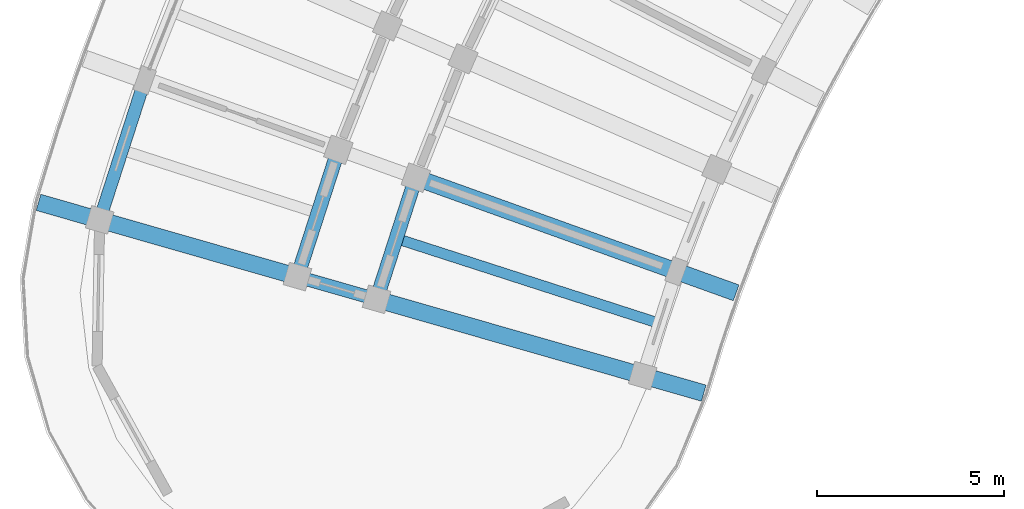
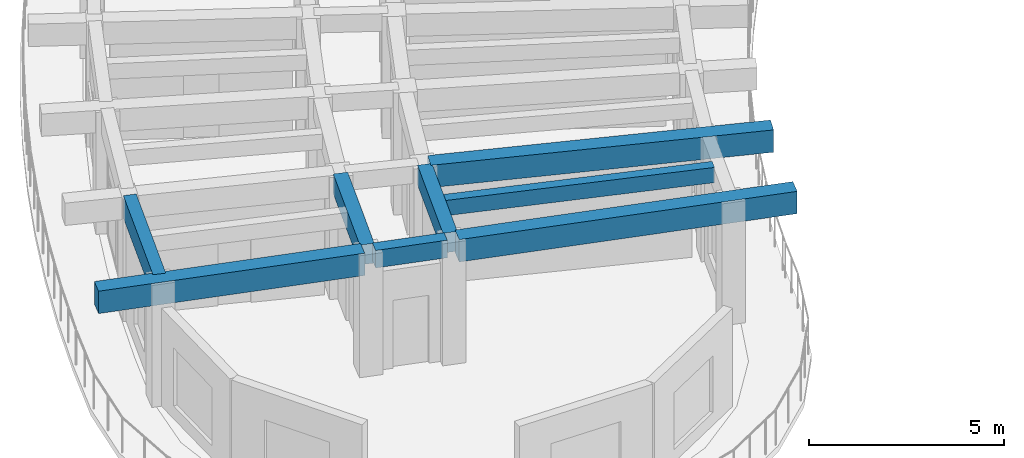
# One storey, part 35 of 128: 8 beams.
"""IFC4 building model written with IfcOpenShell, lengths in metres."""

from ifc_helpers import new_model, si_unit, direction, frame, origin, origin_2d, place, context, subcontext, project, spatial, rectangle, extrude, material, material_profile, profile_set, type_object, element, save


model = new_model("IFC4")

# Units and contexts
model_context = context("Model", 3, precision=1e-05, world=origin(), true_north=direction((0.0, 1.0)))
body_context = subcontext(model_context, "Body", "Model", "MODEL_VIEW")
ifc_project = project(units=[si_unit("LENGTHUNIT", "METRE"), si_unit("AREAUNIT", "SQUARE_METRE"), si_unit("VOLUMEUNIT", "CUBIC_METRE"), si_unit("PLANEANGLEUNIT", "RADIAN"), si_unit("MASSUNIT", "GRAM", prefix="KILO")], contexts=[model_context])

# Site, building, storey
site_placement = place(None, origin())
site = spatial("IfcSite", under=ifc_project, at=site_placement, CompositionType="ELEMENT")
building_placement = place(site_placement, origin())
building = spatial("IfcBuilding", under=site, at=building_placement, Name="Tanwirah Colonnade Gardens", CompositionType="ELEMENT")
storey_placement = place(building_placement, frame((0.0, 0.0, 4.760009765625)))
storey = spatial("IfcBuildingStorey", under=building, at=storey_placement, Name="L01", CompositionType="ELEMENT", Elevation=4.760009765625)

# Beams
ifc_material_1 = material(Name="Precast concrete C40/50", Category="concrete")
ifc_material_profile_1 = material_profile(ifc_material_1, rectangle(XDim=0.35009765625, YDim=0.550048828125, at=origin_2d()), Name="PC-BM 350x550")
ifc_profile_set_1 = profile_set([ifc_material_profile_1], Name="Precast concrete C40/50")
beam_type_1 = type_object("IfcBeamType", Name="BM-PC350A", PredefinedType="BEAM", material=ifc_profile_set_1)
beam_1_placement = place(storey_placement, frame((15.014404296875, 74.533203125, 3.550048828125), z_axis=(-0.961266538157, 0.275620468433, 0.0), x_axis=(-0.275620468433, -0.961266538157, 0.0)))
element("IfcBeam", 1, at=beam_1_placement, inside=storey, type_object=beam_type_1, Name="Block A L01 Corridor Tie Beam 18", PredefinedType="BEAM", context=body_context, shape_type="SweptSolid", body=[
    extrude(rectangle(XDim=0.35009765625, YDim=0.550048828125, at=origin_2d()), origin(), (0.0, 0.0, 1.0), 1.89990234375),
])
ifc_material_profile_2 = material_profile(ifc_material_1, rectangle(XDim=0.3798828125, YDim=0.6201171875, at=origin_2d()), Name="PC-BM 380x620")
ifc_profile_set_2 = profile_set([ifc_material_profile_2], Name="Precast concrete C40/50")
beam_type_2 = type_object("IfcBeamType", Name="BM-PC380", PredefinedType="BEAM", material=ifc_profile_set_2)
beam_2_placement = place(storey_placement, frame((16.162353515625, 77.601806640625, 3.514892578125), z_axis=(-0.307169780148, -0.951654730542, 0.0), x_axis=(0.951654730542, -0.307169780148, 0.0)))
element("IfcBeam", 2, at=beam_2_placement, inside=storey, type_object=beam_type_2, Name="Block A L01 Circumferential Beam 17-R1", PredefinedType="BEAM", context=body_context, shape_type="SweptSolid", body=[
    extrude(rectangle(XDim=0.3798828125, YDim=0.6201171875, at=origin_2d()), origin(), (0.0, 0.0, 1.0), 3.117919921875),
])
beam_3_placement = place(storey_placement, frame((14.09228515625, 78.34619140625, 3.514892578125), z_axis=(-0.307212636327, -0.9516408966, 0.0), x_axis=(0.9516408966, -0.307212636327, 0.0)))
element("IfcBeam", 3, at=beam_3_placement, inside=storey, type_object=beam_type_2, Name="Block A L01 Circumferential Beam 17-R2", PredefinedType="BEAM", context=body_context, shape_type="SweptSolid", body=[
    extrude(rectangle(XDim=0.3798828125, YDim=0.6201171875, at=origin_2d()), origin(), (0.0, 0.0, 1.0), 3.262939453125),
])
ifc_material_2 = material(Name="Precast concrete C45/55", Category="concrete")
ifc_material_profile_3 = material_profile(ifc_material_2, rectangle(XDim=0.449951171875, YDim=0.699951171875, at=origin_2d()), Name="PC-BM 450x700")
ifc_profile_set_3 = profile_set([ifc_material_profile_3], Name="Precast concrete C45/55")
beam_type_3 = type_object("IfcBeamType", Name="BM-PC450", PredefinedType="BEAM", material=ifc_profile_set_3)
for number, where, z_axis, x_axis, name in (
    (4, (16.349609375, 77.69384765625, 3.47509765625), (0.941017049702, -0.338359146723, 0.0), (0.338359146723, 0.941017049702, 0.0), "Block A L01 Inner Radial Precast Girder 17"),
    (5, (15.302734375, 74.450439453125, 3.47509765625), (0.961258954076, -0.275646917646, 0.0), (0.275646917646, 0.961258954076, 0.0), "Block A L01 Inner Radial Precast Girder 18"),
):
    element("IfcBeam", number, at=place(storey_placement, frame(where, z_axis=z_axis, x_axis=x_axis)), inside=storey, type_object=beam_type_3, Name=name, PredefinedType="BEAM", context=body_context, shape_type="SweptSolid", body=[
        extrude(rectangle(XDim=0.449951171875, YDim=0.699951171875, at=origin_2d()), origin(), (0.0, 0.0, 1.0), 8.949951171875),
    ])
beam_4_placement = place(storey_placement, frame((12.899658203125, 75.1396484375, 3.47509765625), z_axis=(-0.961266085595, 0.275622046806, 0.0), x_axis=(-0.275622046806, -0.961266085595, 0.0)))
element("IfcBeam", 6, at=beam_4_placement, inside=storey, type_object=beam_type_3, Name="Block A L01 Outer Radial Precast Girder 18", PredefinedType="BEAM", context=body_context, shape_type="SweptSolid", body=[
    extrude(rectangle(XDim=0.449951171875, YDim=0.699951171875, at=origin_2d()), origin(), (0.0, 0.0, 1.0), 7.0498046875),
])
ifc_material_profile_4 = material_profile(ifc_material_1, rectangle(XDim=0.280029296875, YDim=0.47998046875, at=origin_2d()), Name="PC-JST 280x480")
ifc_profile_set_4 = profile_set([ifc_material_profile_4], Name="Precast concrete C40/50")
beam_type_4 = type_object("IfcBeamType", Name="JST-PC280", PredefinedType="JOIST", material=ifc_profile_set_4)
beam_5_placement = place(storey_placement, frame((22.584716796875, 73.890625, 3.5849609375), z_axis=(-0.951647858625, 0.307191069489, 0.0), x_axis=(-0.307191069489, -0.951647858625, 0.0)))
element("IfcBeam", 7, at=beam_5_placement, inside=storey, type_object=beam_type_4, Name="Block A L01 Inner Precast Floor Joist 17", PredefinedType="JOIST", context=body_context, shape_type="SweptSolid", body=[
    extrude(rectangle(XDim=0.280029296875, YDim=0.47998046875, at=origin_2d()), origin(), (0.0, 0.0, 1.0), 7.159912109375),
])
ifc_material_profile_5 = material_profile(ifc_material_2, rectangle(XDim=0.340087890625, YDim=0.699951171875, at=origin_2d()), Name="PC-SP 340x700")
ifc_profile_set_5 = profile_set([ifc_material_profile_5], Name="Precast concrete C45/55")
beam_type_5 = type_object("IfcBeamType", Name="SP-PC340", PredefinedType="SPANDREL", material=ifc_profile_set_5)
beam_6_placement = place(storey_placement, frame((8.916748046875, 80.207275390625, 3.47509765625), z_axis=(-0.307183773768, -0.951650213647, 0.0), x_axis=(0.951650213647, -0.307183773768, 0.0)))
element("IfcBeam", 8, at=beam_6_placement, inside=storey, type_object=beam_type_5, Name="Block A L01 Circumferential Beam 17-R3", PredefinedType="SPANDREL", context=body_context, shape_type="SweptSolid", body=[
    extrude(rectangle(XDim=0.340087890625, YDim=0.699951171875, at=origin_2d()), origin(), (0.0, 0.0, 1.0), 3.625732421875),
])

save(model, "model.ifc")
